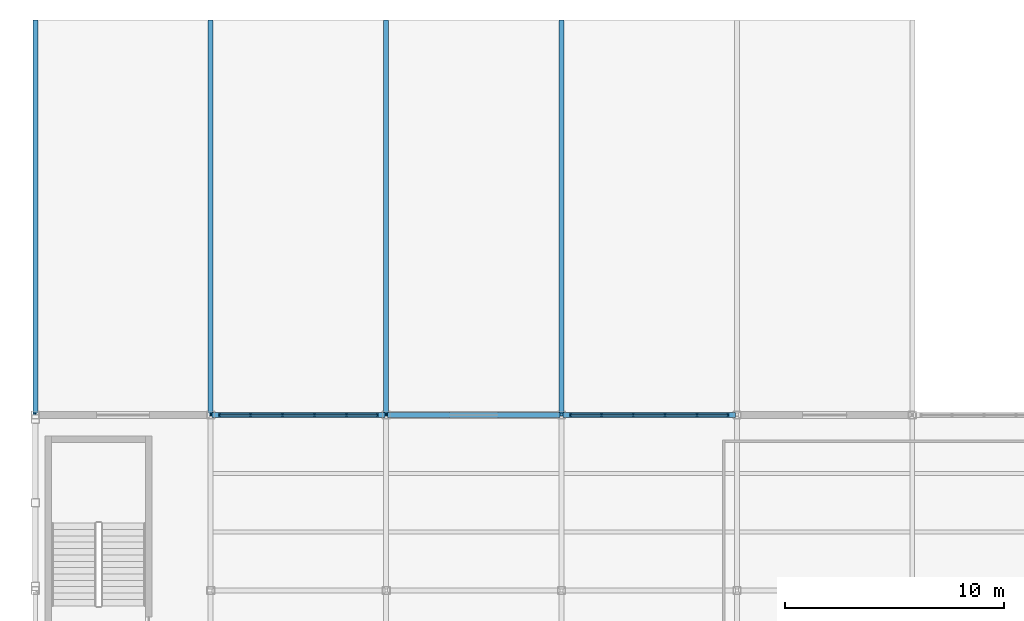
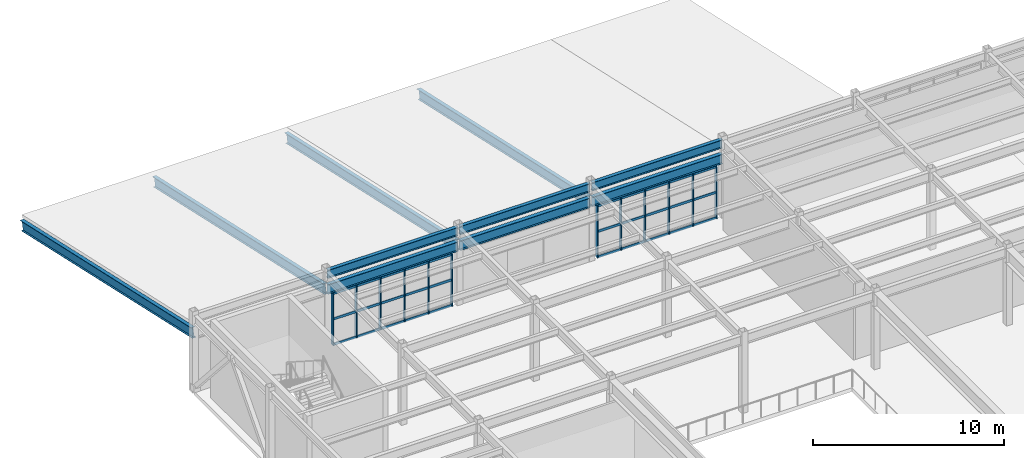
# One storey, part 35 of 77: 18 members, 10 beams, 2 elements without a shape of their own.
"""IFC4 building model written with IfcOpenShell, lengths in metres."""

from ifc_helpers import new_model, si_unit, direction, frame, origin, origin_2d, place, context, subcontext, project, spatial, rectangle, i_section, extrude, material, material_profile, profile_set, type_object, element, aggregate, save


model = new_model("IFC4")

# Units and contexts
model_context = context("Model", 3, precision=1e-05, world=origin(), true_north=direction((0.0, 1.0)))
body_context = subcontext(model_context, "Body", "Model", "MODEL_VIEW")
ifc_project = project(units=[si_unit("LENGTHUNIT", "METRE"), si_unit("AREAUNIT", "SQUARE_METRE"), si_unit("VOLUMEUNIT", "CUBIC_METRE"), si_unit("PLANEANGLEUNIT", "RADIAN"), si_unit("MASSUNIT", "GRAM", prefix="KILO")], contexts=[model_context])

# Site, building, storey
site_placement = place(None, origin())
site = spatial("IfcSite", under=ifc_project, at=site_placement, CompositionType="ELEMENT")
building_placement = place(site_placement, origin())
building = spatial("IfcBuilding", under=site, at=building_placement, Name="Drelvath Fold Interchange", CompositionType="ELEMENT")
storey_placement = place(building_placement, frame((0.0, 0.0, 6.0)))
storey = spatial("IfcBuildingStorey", under=building, at=storey_placement, Name="L01", CompositionType="ELEMENT", Elevation=6.0)

# Beams
ifc_material_1 = material(Name="Steel ASTM A992 Grade 50", Category="steel")
ifc_material_profile_1 = material_profile(ifc_material_1, i_section(OverallWidth=0.2099609375, OverallDepth=0.537109375, WebThickness=0.010986328125, FlangeThickness=0.017333984375, at=origin_2d()), Name="W21X68")
ifc_profile_set_1 = profile_set([ifc_material_profile_1], Name="Steel ASTM A992 Grade 50")
beam_type_1 = type_object("IfcBeamType", Name="BM-W21X68", PredefinedType="SPANDREL", material=ifc_profile_set_1)
for number, where, z_axis, x_axis, name in (
    (1, (12.06005859375, 99.0, 4.680908203125), (1.0, 0.0, 0.0), (0.0, 1.0, 0.0), "L01 Primary X girder BM-W21X68"),
    (2, (20.06005859375, 99.0, 4.680908203125), (1.0, 0.0, 0.0), (0.0, 1.0, 0.0), "L01 Primary X girder BM-W21X68"),
    (3, (28.06005859375, 99.0, 4.680908203125), (1.0, 0.0, 0.0), (0.0, 1.0, 0.0), "L01 Primary X girder BM-W21X68"),
):
    element("IfcBeam", number, at=place(storey_placement, frame(where, z_axis=z_axis, x_axis=x_axis)), inside=storey, type_object=beam_type_1, Name=name, PredefinedType="SPANDREL", context=body_context, shape_type="SweptSolid", body=[
        extrude(i_section(OverallWidth=0.2099609375, OverallDepth=0.537109375, WebThickness=0.010986328125, FlangeThickness=0.017333984375, at=origin_2d()), origin(), (0.0, 0.0, 1.0), 7.8798828125),
    ])
ifc_material_profile_2 = material_profile(ifc_material_1, i_section(OverallWidth=0.22998046875, OverallDepth=0.616943359375, WebThickness=0.01318359375, FlangeThickness=0.022216796875, at=origin_2d()), Name="W24X94")
ifc_profile_set_2 = profile_set([ifc_material_profile_2], Name="Steel ASTM A992 Grade 50")
beam_type_2 = type_object("IfcBeamType", Name="BM-W24X94", PredefinedType="BEAM", material=ifc_profile_set_2)
for number, where, z_axis, x_axis, name in (
    (4, (12.06005859375, 99.0, 3.720947265625), (1.0, 0.0, 0.0), (0.0, 1.0, 0.0), "L01 North concourse ridge girder BM-W24X94"),
    (5, (20.06005859375, 99.0, 3.720947265625), (1.0, 0.0, 0.0), (0.0, 1.0, 0.0), "L01 North concourse ridge girder BM-W24X94"),
    (6, (28.06005859375, 99.0, 3.720947265625), (1.0, 0.0, 0.0), (0.0, 1.0, 0.0), "L01 North concourse ridge girder BM-W24X94"),
):
    element("IfcBeam", number, at=place(storey_placement, frame(where, z_axis=z_axis, x_axis=x_axis)), inside=storey, type_object=beam_type_2, Name=name, PredefinedType="BEAM", context=body_context, shape_type="SweptSolid", body=[
        extrude(i_section(OverallWidth=0.22998046875, OverallDepth=0.616943359375, WebThickness=0.01318359375, FlangeThickness=0.022216796875, at=origin_2d()), origin(), (0.0, 0.0, 1.0), 7.8798828125),
    ])
for number, where, z_axis, x_axis, name in (
    (7, (4.0, 99.02001953125, 3.719970703125), (0.0, 0.976122906804, -0.217218946718), (-1.0, 0.0, 0.0), "North concourse sloped rafter"),
    (8, (12.0, 99.02001953125, 3.719970703125), (0.0, 0.976122906804, -0.217218946718), (-1.0, 0.0, 0.0), "North concourse sloped rafter"),
    (9, (20.0, 99.02001953125, 3.719970703125), (0.0, 0.976122906804, -0.217218946718), (-1.0, 0.0, 0.0), "North concourse sloped rafter"),
    (10, (28.0, 99.02001953125, 3.719970703125), (0.0, 0.976122906804, -0.217218946718), (-1.0, 0.0, 0.0), "North concourse sloped rafter"),
):
    element("IfcBeam", number, at=place(storey_placement, frame(where, z_axis=z_axis, x_axis=x_axis)), inside=storey, type_object=beam_type_2, Name=name, PredefinedType="BEAM", context=body_context, shape_type="SweptSolid", body=[
        extrude(i_section(OverallWidth=0.22998046875, OverallDepth=0.616943359375, WebThickness=0.01318359375, FlangeThickness=0.022216796875, at=origin_2d()), origin(), (0.0, 0.0, 1.0), 18.368408203125),
    ])

# Curtain wall, members
ifc_material_2 = material(Name="Anodized Aluminium 6063-T6", Category="aluminium")
curtain_wall_type = type_object("IfcCurtainWallType", Name="CW-CON-520", PredefinedType="USERDEFINED", material=ifc_material_2)
curtain_wall_1_placement = place(storey_placement, origin())
curtain_wall_1 = element("IfcCurtainWall", 11, at=curtain_wall_1_placement, inside=storey, type_object=curtain_wall_type, Name="Curtain wall CW-V1-L01-N12", ObjectType="UNITISED CURTAIN WALL", PredefinedType="USERDEFINED")
ifc_material_profile_3 = material_profile(ifc_material_2, rectangle(XDim=0.06494140625, YDim=0.18994140625, at=origin_2d()), Name="AL-M 65x190")
ifc_profile_set_3 = profile_set([ifc_material_profile_3], Name="Anodized Aluminium 6063-T6")
member_type_1 = type_object("IfcMemberType", Name="ML-190", PredefinedType="MULLION", material=ifc_profile_set_3)
member_1_placement = place(storey_placement, frame((12.39990234375, 99.0, 0.0), z_axis=(0.0, 0.0, 1.0), x_axis=(1.0, 0.0, 0.0)))
member_1 = element("IfcMember", 12, at=member_1_placement, type_object=member_type_1, Name="CW-V1-L01-N12 mullion 0", PredefinedType="MULLION", context=body_context, shape_type="SweptSolid", body=[
    extrude(rectangle(XDim=0.06494140625, YDim=0.18994140625, at=origin_2d()), origin(), (0.0, 0.0, 1.0), 3.320068359375),
])
member_2_placement = place(storey_placement, frame((13.81591796875, 99.0, 0.0), z_axis=(0.0, 0.0, 1.0), x_axis=(1.0, 0.0, 0.0)))
member_2 = element("IfcMember", 13, at=member_2_placement, type_object=member_type_1, Name="CW-V1-L01-N12 mullion 1", PredefinedType="MULLION", context=body_context, shape_type="SweptSolid", body=[
    extrude(rectangle(XDim=0.06494140625, YDim=0.18994140625, at=origin_2d()), origin(), (0.0, 0.0, 1.0), 3.320068359375),
])
member_3_placement = place(storey_placement, frame((15.27197265625, 99.0, 0.0), z_axis=(0.0, 0.0, 1.0), x_axis=(1.0, 0.0, 0.0)))
member_3 = element("IfcMember", 14, at=member_3_placement, type_object=member_type_1, Name="CW-V1-L01-N12 mullion 2", PredefinedType="MULLION", context=body_context, shape_type="SweptSolid", body=[
    extrude(rectangle(XDim=0.06494140625, YDim=0.18994140625, at=origin_2d()), origin(), (0.0, 0.0, 1.0), 3.320068359375),
])
member_4_placement = place(storey_placement, frame((16.72802734375, 99.0, 0.0), z_axis=(0.0, 0.0, 1.0), x_axis=(1.0, 0.0, 0.0)))
member_4 = element("IfcMember", 15, at=member_4_placement, type_object=member_type_1, Name="CW-V1-L01-N12 mullion 3", PredefinedType="MULLION", context=body_context, shape_type="SweptSolid", body=[
    extrude(rectangle(XDim=0.06494140625, YDim=0.18994140625, at=origin_2d()), origin(), (0.0, 0.0, 1.0), 3.320068359375),
])
member_5_placement = place(storey_placement, frame((18.18408203125, 99.0, 0.0), z_axis=(0.0, 0.0, 1.0), x_axis=(1.0, 0.0, 0.0)))
member_5 = element("IfcMember", 16, at=member_5_placement, type_object=member_type_1, Name="CW-V1-L01-N12 mullion 4", PredefinedType="MULLION", context=body_context, shape_type="SweptSolid", body=[
    extrude(rectangle(XDim=0.06494140625, YDim=0.18994140625, at=origin_2d()), origin(), (0.0, 0.0, 1.0), 3.320068359375),
])
member_6_placement = place(storey_placement, frame((19.60009765625, 99.0, 0.0), z_axis=(0.0, 0.0, 1.0), x_axis=(1.0, 0.0, 0.0)))
member_6 = element("IfcMember", 17, at=member_6_placement, type_object=member_type_1, Name="CW-V1-L01-N12 mullion 5", PredefinedType="MULLION", context=body_context, shape_type="SweptSolid", body=[
    extrude(rectangle(XDim=0.06494140625, YDim=0.18994140625, at=origin_2d()), origin(), (0.0, 0.0, 1.0), 3.320068359375),
])

curtain_wall_2_placement = place(storey_placement, origin())
curtain_wall_2 = element("IfcCurtainWall", 18, at=curtain_wall_2_placement, inside=storey, type_object=curtain_wall_type, Name="Curtain wall CW-V1-L01-N28", ObjectType="UNITISED CURTAIN WALL", PredefinedType="USERDEFINED")
member_7_placement = place(storey_placement, frame((28.39990234375, 99.0, 0.0), z_axis=(0.0, 0.0, 1.0), x_axis=(1.0, 0.0, 0.0)))
member_7 = element("IfcMember", 19, at=member_7_placement, type_object=member_type_1, Name="CW-V1-L01-N28 mullion 0", PredefinedType="MULLION", context=body_context, shape_type="SweptSolid", body=[
    extrude(rectangle(XDim=0.06494140625, YDim=0.18994140625, at=origin_2d()), origin(), (0.0, 0.0, 1.0), 3.320068359375),
])
member_8_placement = place(storey_placement, frame((29.81591796875, 99.0, 0.0), z_axis=(0.0, 0.0, 1.0), x_axis=(1.0, 0.0, 0.0)))
member_8 = element("IfcMember", 20, at=member_8_placement, type_object=member_type_1, Name="CW-V1-L01-N28 mullion 1", PredefinedType="MULLION", context=body_context, shape_type="SweptSolid", body=[
    extrude(rectangle(XDim=0.06494140625, YDim=0.18994140625, at=origin_2d()), origin(), (0.0, 0.0, 1.0), 3.320068359375),
])
member_9_placement = place(storey_placement, frame((31.27197265625, 99.0, 0.0), z_axis=(0.0, 0.0, 1.0), x_axis=(1.0, 0.0, 0.0)))
member_9 = element("IfcMember", 21, at=member_9_placement, type_object=member_type_1, Name="CW-V1-L01-N28 mullion 2", PredefinedType="MULLION", context=body_context, shape_type="SweptSolid", body=[
    extrude(rectangle(XDim=0.06494140625, YDim=0.18994140625, at=origin_2d()), origin(), (0.0, 0.0, 1.0), 3.320068359375),
])
member_10_placement = place(storey_placement, frame((32.72802734375, 99.0, 0.0), z_axis=(0.0, 0.0, 1.0), x_axis=(1.0, 0.0, 0.0)))
member_10 = element("IfcMember", 22, at=member_10_placement, type_object=member_type_1, Name="CW-V1-L01-N28 mullion 3", PredefinedType="MULLION", context=body_context, shape_type="SweptSolid", body=[
    extrude(rectangle(XDim=0.06494140625, YDim=0.18994140625, at=origin_2d()), origin(), (0.0, 0.0, 1.0), 3.320068359375),
])
member_11_placement = place(storey_placement, frame((34.18408203125, 99.0, 0.0), z_axis=(0.0, 0.0, 1.0), x_axis=(1.0, 0.0, 0.0)))
member_11 = element("IfcMember", 23, at=member_11_placement, type_object=member_type_1, Name="CW-V1-L01-N28 mullion 4", PredefinedType="MULLION", context=body_context, shape_type="SweptSolid", body=[
    extrude(rectangle(XDim=0.06494140625, YDim=0.18994140625, at=origin_2d()), origin(), (0.0, 0.0, 1.0), 3.320068359375),
])
member_12_placement = place(storey_placement, frame((35.60009765625, 99.0, 0.0), z_axis=(0.0, 0.0, 1.0), x_axis=(1.0, 0.0, 0.0)))
member_12 = element("IfcMember", 24, at=member_12_placement, type_object=member_type_1, Name="CW-V1-L01-N28 mullion 5", PredefinedType="MULLION", context=body_context, shape_type="SweptSolid", body=[
    extrude(rectangle(XDim=0.06494140625, YDim=0.18994140625, at=origin_2d()), origin(), (0.0, 0.0, 1.0), 3.320068359375),
])

# Member
ifc_material_profile_4 = material_profile(ifc_material_2, rectangle(XDim=0.06494140625, YDim=0.155029296875, at=origin_2d()), Name="AL-T 65x155")
ifc_profile_set_4 = profile_set([ifc_material_profile_4], Name="Anodized Aluminium 6063-T6")
member_type_2 = type_object("IfcMemberType", Name="TR-155", PredefinedType="USERDEFINED", material=ifc_profile_set_4)
member_13_placement = place(storey_placement, frame((12.39990234375, 99.0, 0.030029296875), z_axis=(1.0, 0.0, 0.0), x_axis=(0.0, 1.0, 0.0)))
member_13 = element("IfcMember", 25, at=member_13_placement, type_object=member_type_2, Name="CW-V1-L01-N12 transom 0", ObjectType="TRANSOM", PredefinedType="USERDEFINED", context=body_context, shape_type="SweptSolid", body=[
    extrude(rectangle(XDim=0.06494140625, YDim=0.155029296875, at=origin_2d()), origin(), (0.0, 0.0, 1.0), 7.2001953125),
])

member_14_placement = place(storey_placement, frame((12.39990234375, 99.0, 1.659912109375), z_axis=(1.0, 0.0, 0.0), x_axis=(0.0, 1.0, 0.0)))
member_14 = element("IfcMember", 26, at=member_14_placement, type_object=member_type_2, Name="CW-V1-L01-N12 transom 1", ObjectType="TRANSOM", PredefinedType="USERDEFINED", context=body_context, shape_type="SweptSolid", body=[
    extrude(rectangle(XDim=0.06494140625, YDim=0.155029296875, at=origin_2d()), origin(), (0.0, 0.0, 1.0), 7.2001953125),
])

member_15_placement = place(storey_placement, frame((12.39990234375, 99.0, 3.2900390625), z_axis=(1.0, 0.0, 0.0), x_axis=(0.0, 1.0, 0.0)))
member_15 = element("IfcMember", 27, at=member_15_placement, type_object=member_type_2, Name="CW-V1-L01-N12 transom 2", ObjectType="TRANSOM", PredefinedType="USERDEFINED", context=body_context, shape_type="SweptSolid", body=[
    extrude(rectangle(XDim=0.06494140625, YDim=0.155029296875, at=origin_2d()), origin(), (0.0, 0.0, 1.0), 7.2001953125),
])

aggregate(curtain_wall_1, [member_1, member_2, member_3, member_4, member_5, member_6, member_13, member_14, member_15])

member_16_placement = place(storey_placement, frame((28.39990234375, 99.0, 0.030029296875), z_axis=(1.0, 0.0, 0.0), x_axis=(0.0, 1.0, 0.0)))
member_16 = element("IfcMember", 28, at=member_16_placement, type_object=member_type_2, Name="CW-V1-L01-N28 transom 0", ObjectType="TRANSOM", PredefinedType="USERDEFINED", context=body_context, shape_type="SweptSolid", body=[
    extrude(rectangle(XDim=0.06494140625, YDim=0.155029296875, at=origin_2d()), origin(), (0.0, 0.0, 1.0), 7.2001953125),
])

member_17_placement = place(storey_placement, frame((28.39990234375, 99.0, 1.659912109375), z_axis=(1.0, 0.0, 0.0), x_axis=(0.0, 1.0, 0.0)))
member_17 = element("IfcMember", 29, at=member_17_placement, type_object=member_type_2, Name="CW-V1-L01-N28 transom 1", ObjectType="TRANSOM", PredefinedType="USERDEFINED", context=body_context, shape_type="SweptSolid", body=[
    extrude(rectangle(XDim=0.06494140625, YDim=0.155029296875, at=origin_2d()), origin(), (0.0, 0.0, 1.0), 7.2001953125),
])

member_18_placement = place(storey_placement, frame((28.39990234375, 99.0, 3.2900390625), z_axis=(1.0, 0.0, 0.0), x_axis=(0.0, 1.0, 0.0)))
member_18 = element("IfcMember", 30, at=member_18_placement, type_object=member_type_2, Name="CW-V1-L01-N28 transom 2", ObjectType="TRANSOM", PredefinedType="USERDEFINED", context=body_context, shape_type="SweptSolid", body=[
    extrude(rectangle(XDim=0.06494140625, YDim=0.155029296875, at=origin_2d()), origin(), (0.0, 0.0, 1.0), 7.2001953125),
])

aggregate(curtain_wall_2, [member_7, member_8, member_9, member_10, member_11, member_12, member_16, member_17, member_18])

save(model, "model.ifc")
